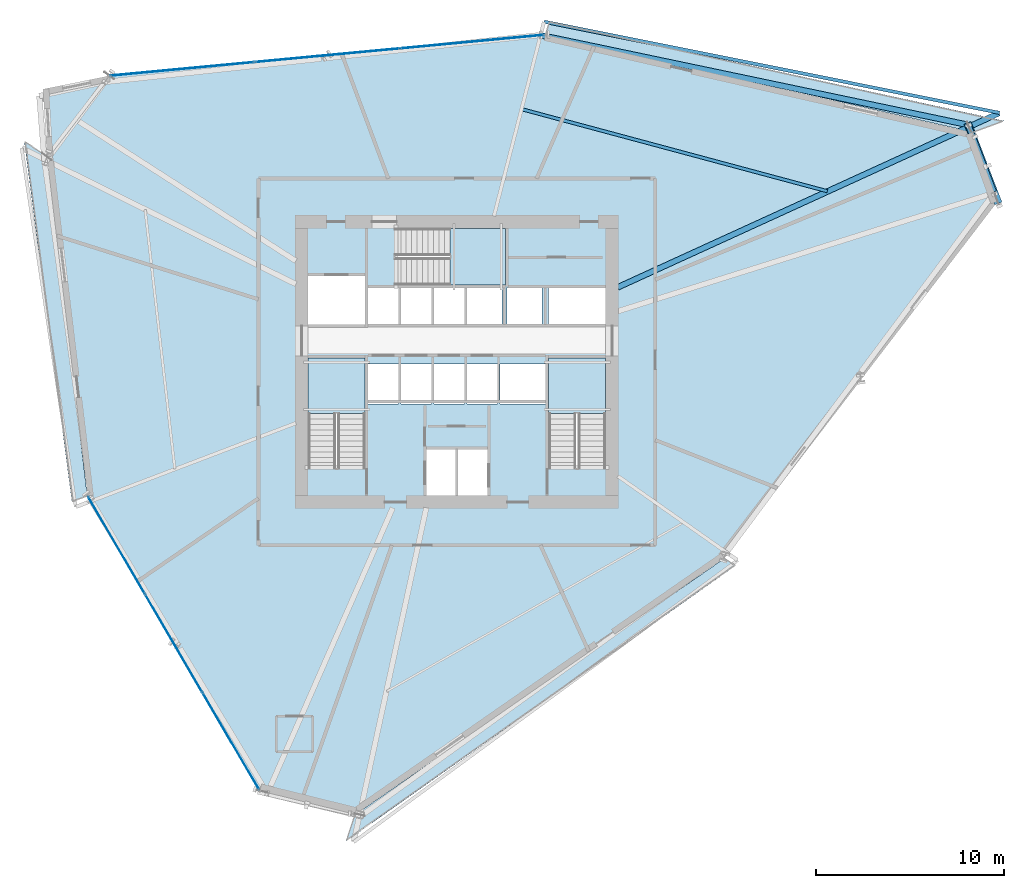
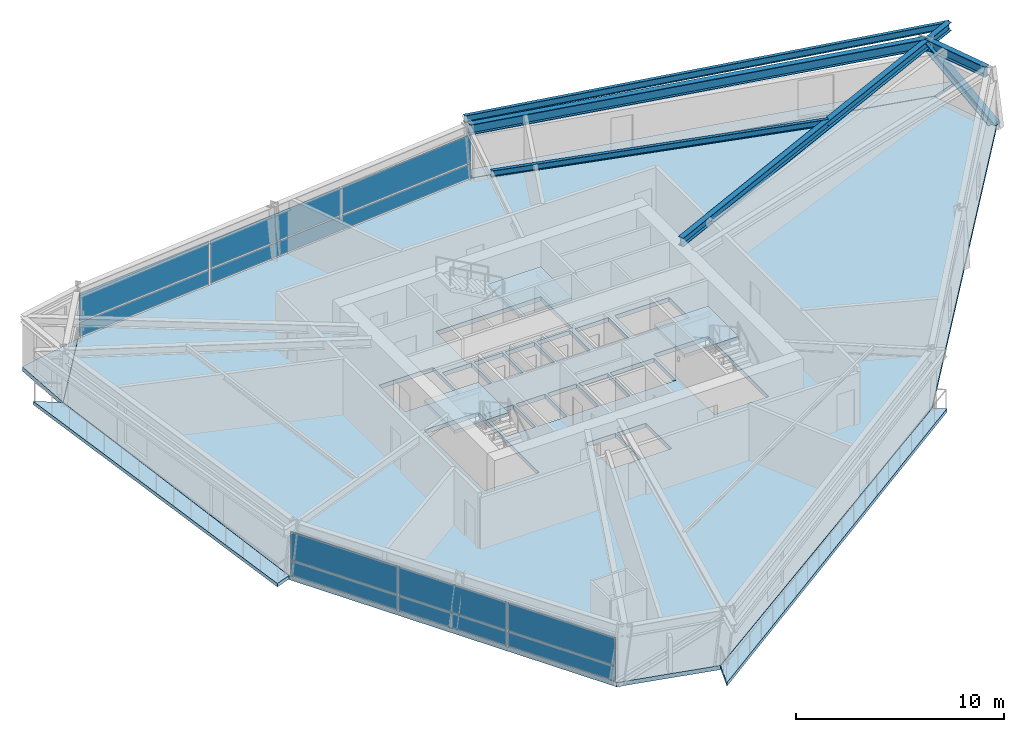
# One storey, part 8 of 17: 12 plates, 8 slabs, 5 beams, 1 member, 5 elements without a shape of their own.
"""IFC4 building model written with IfcOpenShell, lengths in metres."""

from ifc_helpers import new_model, si_unit, direction, frame, origin, origin_2d, place, context, subcontext, project, spatial, polyline, rectangle, i_section, outline, extrude, source, transform, mapped, material, layer, layer_set, material_profile, profile_set, type_object, element, aggregate, save


model = new_model("IFC4")

# Units and contexts
model_context = context("Model", 3, precision=1e-05, world=origin(), true_north=direction((0.0, 1.0)))
body_context = subcontext(model_context, "Body", "Model", "MODEL_VIEW")
ifc_project = project(units=[si_unit("LENGTHUNIT", "METRE"), si_unit("AREAUNIT", "SQUARE_METRE"), si_unit("VOLUMEUNIT", "CUBIC_METRE"), si_unit("PLANEANGLEUNIT", "RADIAN"), si_unit("MASSUNIT", "GRAM", prefix="KILO")], contexts=[model_context])

# Site, building, storey
site_placement = place(None, origin())
site = spatial("IfcSite", under=ifc_project, at=site_placement, CompositionType="ELEMENT")
building_placement = place(site_placement, origin())
building = spatial("IfcBuilding", under=site, at=building_placement, Name="Olszyna Solenne Hotel", CompositionType="ELEMENT")
storey_placement = place(building_placement, frame((0.0, 0.0, 116.35009765625)))
storey = spatial("IfcBuildingStorey", under=building, at=storey_placement, Name="L30", CompositionType="ELEMENT", Elevation=116.35009765625)

# Beams
ifc_material_1 = material(Name="Steel S355J2", Category="steel")
ifc_material_profile_1 = material_profile(ifc_material_1, i_section(OverallWidth=0.300048828125, OverallDepth=0.60009765625, WebThickness=0.015380859375, FlangeThickness=0.030029296875, at=origin_2d()), Name="HEB 600", Category="load-bearing")
ifc_profile_set_1 = profile_set([ifc_material_profile_1], Name="Steel S355J2")
beam_type_1 = type_object("IfcBeamType", Name="BM-S2", PredefinedType="BEAM", material=ifc_profile_set_1)
shared_shape_1 = source(origin(), body_context, "Body", "SweptSolid", [
    extrude(i_section(OverallWidth=0.300048828125, OverallDepth=0.60009765625, WebThickness=0.015380859375, FlangeThickness=0.030029296875, at=origin_2d()), origin(), (0.0, 0.0, 1.0), 3.745361328125),
])
beam_1_placement = place(storey_placement, frame((66.53515625, 35.6376953125, 3.0), z_axis=(-0.355919425855, 0.934516646347, 0.0), x_axis=(-0.934516646347, -0.355919425855, 0.0)))
element("IfcBeam", 1, at=beam_1_placement, inside=storey, type_object=beam_type_1, Name="Perimeter spandrel beam BM-S2 B-L30-0898", PredefinedType="BEAM", context=body_context, shape_type="MappedRepresentation", body=[
    mapped(shared_shape_1, transform((0.0, 0.0, 0.0), x_axis=(1.0, 0.0, 0.0), y_axis=(0.0, 1.0, 0.0), z_axis=(0.0, 0.0, 1.0), scale=1.0)),
])
shared_shape_2 = source(origin(), body_context, "Body", "SweptSolid", [
    extrude(i_section(OverallWidth=0.300048828125, OverallDepth=0.60009765625, WebThickness=0.015380859375, FlangeThickness=0.030029296875, at=origin_2d()), origin(), (0.0, 0.0, 1.0), 23.1396484375),
])
beam_2_placement = place(storey_placement, frame((65.1220703125, 39.206298828125, 3.0), z_axis=(-0.978690829069, 0.205339380286, 0.0), x_axis=(-0.205339380286, -0.978690829069, 0.0)))
element("IfcBeam", 2, at=beam_2_placement, inside=storey, type_object=beam_type_1, Name="Perimeter spandrel beam BM-S2 B-L30-0899", PredefinedType="BEAM", context=body_context, shape_type="MappedRepresentation", body=[
    mapped(shared_shape_2, transform((0.0, 0.0, 0.0), x_axis=(1.0, 0.0, 0.0), y_axis=(0.0, 1.0, 0.0), z_axis=(0.0, 0.0, 1.0), scale=1.0)),
])
ifc_material_profile_2 = material_profile(ifc_material_1, i_section(OverallWidth=0.300048828125, OverallDepth=0.489990234375, WebThickness=0.011962890625, FlangeThickness=0.02294921875, at=origin_2d()), Name="HEA 500", Category="load-bearing")
ifc_profile_set_2 = profile_set([ifc_material_profile_2], Name="Steel S355J2")
beam_type_2 = type_object("IfcBeamType", Name="BM-G1", PredefinedType="BEAM", material=ifc_profile_set_2)
shared_shape_3 = source(origin(), body_context, "Body", "SweptSolid", [
    extrude(i_section(OverallWidth=0.300048828125, OverallDepth=0.489990234375, WebThickness=0.011962890625, FlangeThickness=0.02294921875, at=origin_2d()), origin(), (0.0, 0.0, 1.0), 22.285888671875),
])
beam_3_placement = place(storey_placement, frame((66.823974609375, 39.827392578125, 3.054931640625), z_axis=(-0.909513291073, -0.415674840905, 0.0), x_axis=(0.415674840905, -0.909513291073, 0.0)))
element("IfcBeam", 3, at=beam_3_placement, inside=storey, type_object=beam_type_2, Name="Radial floor girder BM-G1 B-L30-0911", PredefinedType="BEAM", context=body_context, shape_type="MappedRepresentation", body=[
    mapped(shared_shape_3, transform((0.0, 0.0, 0.0), x_axis=(1.0, 0.0, 0.0), y_axis=(0.0, 1.0, 0.0), z_axis=(0.0, 0.0, 1.0), scale=1.0)),
])
ifc_material_profile_3 = material_profile(ifc_material_1, i_section(OverallWidth=0.169921875, OverallDepth=0.360107421875, WebThickness=0.008056640625, FlangeThickness=0.0126953125, at=origin_2d()), Name="IPE 360", Category="load-bearing")
ifc_profile_set_3 = profile_set([ifc_material_profile_3], Name="Steel S355J2")
beam_type_3 = type_object("IfcBeamType", Name="JS-01", PredefinedType="JOIST", material=ifc_profile_set_3)
shared_shape_4 = source(origin(), body_context, "Body", "SweptSolid", [
    extrude(i_section(OverallWidth=0.169921875, OverallDepth=0.360107421875, WebThickness=0.008056640625, FlangeThickness=0.0126953125, at=origin_2d()), origin(), (0.0, 0.0, 1.0), 16.81201171875),
])
beam_4_placement = place(storey_placement, frame((57.693359375, 35.66845703125, 3.119873046875), z_axis=(-0.965781290157, 0.259357860076, 0.0), x_axis=(-0.259357860076, -0.965781290157, 0.0)))
element("IfcBeam", 4, at=beam_4_placement, inside=storey, type_object=beam_type_3, Name="Secondary composite floor joist JS-01 B-L30-0921", PredefinedType="JOIST", context=body_context, shape_type="MappedRepresentation", body=[
    mapped(shared_shape_4, transform((0.0, 0.0, 0.0), x_axis=(1.0, 0.0, 0.0), y_axis=(0.0, 1.0, 0.0), z_axis=(0.0, 0.0, 1.0), scale=1.0)),
])
ifc_material_profile_4 = material_profile(ifc_material_1, i_section(OverallWidth=0.179931640625, OverallDepth=0.39990234375, WebThickness=0.008544921875, FlangeThickness=0.013427734375, at=origin_2d()), Name="IPE 400", Category="load-bearing")
ifc_profile_set_4 = profile_set([ifc_material_profile_4], Name="Steel S355J2")
beam_type_4 = type_object("IfcBeamType", Name="BM-F5", PredefinedType="BEAM", material=ifc_profile_set_4)
shared_shape_5 = source(origin(), body_context, "Body", "SweptSolid", [
    extrude(i_section(OverallWidth=0.179931640625, OverallDepth=0.39990234375, WebThickness=0.008544921875, FlangeThickness=0.013427734375, at=origin_2d()), origin(), (0.0, 0.0, 1.0), 24.685791015625),
])
beam_5_placement = place(storey_placement, frame((66.842041015625, 39.835693359375, 3.099853515625), z_axis=(-0.980527005182, 0.196384297001, 0.0), x_axis=(-0.196384297001, -0.980527005182, 0.0)))
element("IfcBeam", 5, at=beam_5_placement, inside=storey, type_object=beam_type_4, Name="Loggia outer edge beam BM-F5 B-L30-0924", PredefinedType="BEAM", context=body_context, shape_type="MappedRepresentation", body=[
    mapped(shared_shape_5, transform((0.0, 0.0, 0.0), x_axis=(1.0, 0.0, 0.0), y_axis=(0.0, 1.0, 0.0), z_axis=(0.0, 0.0, 1.0), scale=1.0)),
])

# Member
ifc_material_2 = material(Name="Steel S460M", Category="steel")
ifc_material_profile_5 = material_profile(ifc_material_2, i_section(OverallWidth=0.406005859375, OverallDepth=0.416015625, WebThickness=0.026611328125, FlangeThickness=0.04150390625, at=origin_2d()), Name="HD 400x382", Category="load-bearing")
ifc_profile_set_5 = profile_set([ifc_material_profile_5], Name="Steel S460M")
member_type = type_object("IfcMemberType", Name="BR-T2", PredefinedType="BRACE", material=ifc_profile_set_5)
shared_shape_6 = source(origin(), body_context, "Body", "SweptSolid", [
    extrude(i_section(OverallWidth=0.406005859375, OverallDepth=0.416015625, WebThickness=0.026611328125, FlangeThickness=0.04150390625, at=origin_2d()), origin(), (0.0, 0.0, 1.0), 5.264892578125),
])
member_placement = place(storey_placement, frame((66.7421875, 35.12939453125, 0.010009765625), z_axis=(-0.296547215583, 0.771996566852, 0.562210858753), x_axis=(-0.933497265779, -0.358584515537, 0.0)))
element("IfcMember", 6, at=member_placement, inside=storey, type_object=member_type, Name="Perimeter braced-tube diagonal BR-T2 BR-L30-1", PredefinedType="BRACE", context=body_context, shape_type="MappedRepresentation", body=[
    mapped(shared_shape_6, transform((0.0, 0.0, 0.0), x_axis=(1.0, 0.0, 0.0), y_axis=(0.0, 1.0, 0.0), z_axis=(0.0, 0.0, 1.0), scale=1.0)),
])

# Stair, slab
ifc_material_3 = material(Name="Concrete C40/50", Category="concrete")
stair_type = type_object("IfcStairType", Name="STR-C1", PredefinedType="TWO_QUARTER_WINDING_STAIR", material=ifc_material_3)
stair_1_placement = place(storey_placement, origin())
stair_1 = element("IfcStair", 7, at=stair_1_placement, inside=storey, type_object=stair_type, Name="L30 ST1", PredefinedType="TWO_QUARTER_WINDING_STAIR")
ifc_layer_1 = layer(ifc_material_3, 0.18994140625, Name="Concrete C40/50")
ifc_layer_set_1 = layer_set([ifc_layer_1], Name="Concrete C40/50")
slab_type_1 = type_object("IfcSlabType", Name="SL-LN190", PredefinedType="LANDING", material=ifc_layer_set_1)
slab_1_placement = place(storey_placement, frame((0.0, 0.0, 1.574951171875)))
slab_1 = element("IfcSlab", 8, at=slab_1_placement, type_object=slab_type_1, Name="ST1 landing 1", PredefinedType="LANDING", context=body_context, shape_type="SweptSolid", body=[
    extrude(outline(polyline([(33.1201171875, 23.85009765625), (33.1201171875, 26.800048828125), (30.10009765625, 26.800048828125), (30.10009765625, 23.85009765625), (33.1201171875, 23.85009765625)])), origin(), (0.0, 0.0, 1.0), 0.199951171875),
])
aggregate(stair_1, [slab_1])

stair_2_placement = place(storey_placement, origin())
stair_2 = element("IfcStair", 9, at=stair_2_placement, inside=storey, type_object=stair_type, Name="L30 ST2", PredefinedType="TWO_QUARTER_WINDING_STAIR")
slab_2_placement = place(storey_placement, frame((0.0, 0.0, 1.574951171875)))
slab_2 = element("IfcSlab", 10, at=slab_2_placement, type_object=slab_type_1, Name="ST2 landing 1", PredefinedType="LANDING", context=body_context, shape_type="SweptSolid", body=[
    extrude(outline(polyline([(45.89990234375, 23.85009765625), (45.89990234375, 26.800048828125), (42.8798828125, 26.800048828125), (42.8798828125, 23.85009765625), (45.89990234375, 23.85009765625)])), origin(), (0.0, 0.0, 1.0), 0.199951171875),
])
aggregate(stair_2, [slab_2])

stair_3_placement = place(storey_placement, origin())
stair_3 = element("IfcStair", 11, at=stair_3_placement, inside=storey, type_object=stair_type, Name="L30 ST3", PredefinedType="TWO_QUARTER_WINDING_STAIR")
slab_3_placement = place(storey_placement, frame((0.0, 0.0, 1.574951171875)))
slab_3 = element("IfcSlab", 12, at=slab_3_placement, type_object=slab_type_1, Name="ST3 landing 1", PredefinedType="LANDING", context=body_context, shape_type="SweptSolid", body=[
    extrude(outline(polyline([(37.6298828125, 30.679931640625), (40.580078125, 30.679931640625), (40.580078125, 33.699951171875), (37.6298828125, 33.699951171875), (37.6298828125, 30.679931640625)])), origin(), (0.0, 0.0, 1.0), 0.199951171875),
])
aggregate(stair_3, [slab_3])

# Slabs
ifc_material_4 = material(Name="Precast concrete C45/55", Category="concrete")
ifc_layer_2 = layer(ifc_material_4, 0.199951171875, Name="Precast concrete C45/55")
ifc_layer_set_2 = layer_set([ifc_layer_2], Name="Precast concrete C45/55")
slab_type_2 = type_object("IfcSlabType", Name="SL-LOG200", PredefinedType="FLOOR", material=ifc_layer_set_2)
slab_4_placement = place(storey_placement, frame((0.0, 0.0, -0.2001953125)))
element("IfcSlab", 13, at=slab_4_placement, inside=storey, type_object=slab_type_2, Name="Exterior loggia balcony slab SL-L30-LG1", PredefinedType="FLOOR", context=body_context, shape_type="SweptSolid", body=[
    extrude(outline(polyline([(42.70849609375, 43.998046875), (65.41357421875, 38.8134765625), (65.4150390625, 38.81298828125), (65.41650390625, 38.8125), (65.417724609375, 38.81201171875), (65.4189453125, 38.81103515625), (65.420166015625, 38.81005859375), (65.421142578125, 38.80908203125), (65.422119140625, 38.807861328125), (65.423095703125, 38.806640625), (65.423583984375, 38.805419921875), (65.42431640625, 38.80419921875), (67.081298828125, 39.41455078125), (42.93505859375, 44.693603515625), (42.70849609375, 43.998046875)])), origin(), (0.0, 0.0, 1.0), 0.2001953125),
])
slab_5_placement = place(storey_placement, frame((0.0, 0.0, -0.2001953125)))
element("IfcSlab", 14, at=slab_5_placement, inside=storey, type_object=slab_type_2, Name="Exterior loggia balcony slab SL-L30-LG2", PredefinedType="FLOOR", context=body_context, shape_type="SweptSolid", body=[
    extrude(outline(polyline([(18.359375, 19.47998046875), (18.359375, 19.48046875), (18.35888671875, 19.48193359375), (18.358642578125, 19.4833984375), (16.199462890625, 37.515625), (16.199462890625, 37.5166015625), (16.19873046875, 37.52783203125), (15.005615234375, 38.32177734375), (17.537841796875, 19.177490234375), (18.359375, 19.47998046875)])), origin(), (0.0, 0.0, 1.0), 0.2001953125),
])
slab_6_placement = place(storey_placement, frame((0.0, 0.0, -0.2001953125)))
element("IfcSlab", 15, at=slab_6_placement, inside=storey, type_object=slab_type_2, Name="Exterior loggia balcony slab SL-L30-LG3", PredefinedType="FLOOR", context=body_context, shape_type="SweptSolid", body=[
    extrude(outline(polyline([(52.22509765625, 16.160888671875), (52.224365234375, 16.159912109375), (52.223388671875, 16.15869140625), (52.222412109375, 16.15771484375), (52.22119140625, 16.15673828125), (32.59716796875, 2.53662109375), (32.595947265625, 2.535888671875), (32.594482421875, 2.535400390625), (32.59326171875, 2.534912109375), (32.591796875, 2.534423828125), (32.590576171875, 2.5341796875), (32.589111328125, 2.533935546875), (32.587646484375, 2.533935546875), (32.586181640625, 2.5341796875), (32.5849609375, 2.534423828125), (32.583740234375, 2.53466796875), (32.1259765625, 1.129150390625), (52.81689453125, 15.76708984375), (52.22509765625, 16.160888671875)])), origin(), (0.0, 0.0, 1.0), 0.2001953125),
])
ifc_material_5 = material(Name="Concrete C50/60", Category="concrete")
ifc_layer_3 = layer(ifc_material_5, 0.25, Name="Concrete C50/60")
ifc_layer_set_3 = layer_set([ifc_layer_3], Name="Concrete C50/60")
slab_type_3 = type_object("IfcSlabType", Name="SL-TW250", PredefinedType="FLOOR", material=ifc_layer_set_3)
slab_7_placement = place(storey_placement, frame((0.0, 0.0, -0.25)))
element("IfcSlab", 16, at=slab_7_placement, inside=storey, type_object=slab_type_3, Name="Floor slab SL-TW250 SL-L30-01", PredefinedType="FLOOR", context=body_context, shape_type="SweptSolid", body=[
    extrude(outline(polyline([(66.7421875, 35.12939453125), (65.41015625, 38.798828125), (42.703857421875, 43.98388671875), (19.515380859375, 41.80419921875), (16.21435546875, 37.517578125), (18.37353515625, 19.485107421875), (27.529541015625, 3.80078125), (32.58837890625, 2.549072265625), (52.21240234375, 16.169189453125), (66.7421875, 35.12939453125)]), holes=[polyline([(30.10009765625, 20.949951171875), (33.1201171875, 20.949951171875), (33.1201171875, 26.800048828125), (30.10009765625, 26.800048828125), (30.10009765625, 20.949951171875)]), polyline([(42.8798828125, 20.949951171875), (45.89990234375, 20.949951171875), (45.89990234375, 26.800048828125), (42.8798828125, 26.800048828125), (42.8798828125, 20.949951171875)]), polyline([(34.72998046875, 30.679931640625), (40.580078125, 30.679931640625), (40.580078125, 33.699951171875), (34.72998046875, 33.699951171875), (34.72998046875, 30.679931640625)]), polyline([(36.340087890625, 19.5), (37.9599609375, 19.5), (37.9599609375, 21.9599609375), (36.340087890625, 21.9599609375), (36.340087890625, 19.5)]), polyline([(38.0400390625, 19.5), (39.659912109375, 19.5), (39.659912109375, 21.9599609375), (38.0400390625, 21.9599609375), (38.0400390625, 19.5)]), polyline([(30.10009765625, 28.60009765625), (33.1201171875, 28.60009765625), (33.1201171875, 31.159912109375), (30.10009765625, 31.159912109375), (30.10009765625, 28.60009765625)]), polyline([(33.280029296875, 24.360107421875), (34.89990234375, 24.360107421875), (34.89990234375, 26.5), (33.280029296875, 26.5), (33.280029296875, 24.360107421875)]), polyline([(35.030029296875, 24.360107421875), (36.64990234375, 24.360107421875), (36.64990234375, 26.5), (35.030029296875, 26.5), (35.030029296875, 24.360107421875)]), polyline([(36.780029296875, 24.360107421875), (38.39990234375, 24.360107421875), (38.39990234375, 26.5), (36.780029296875, 26.5), (36.780029296875, 24.360107421875)]), polyline([(38.530029296875, 24.360107421875), (40.14990234375, 24.360107421875), (40.14990234375, 26.5), (38.530029296875, 26.5), (38.530029296875, 24.360107421875)]), polyline([(40.280029296875, 24.360107421875), (42.719970703125, 24.360107421875), (42.719970703125, 26.5), (40.280029296875, 26.5), (40.280029296875, 24.360107421875)]), polyline([(33.280029296875, 28.60009765625), (34.89990234375, 28.60009765625), (34.89990234375, 30.550048828125), (33.280029296875, 30.550048828125), (33.280029296875, 28.60009765625)]), polyline([(35.030029296875, 28.60009765625), (36.64990234375, 28.60009765625), (36.64990234375, 30.550048828125), (35.030029296875, 30.550048828125), (35.030029296875, 28.60009765625)]), polyline([(36.780029296875, 28.60009765625), (38.39990234375, 28.60009765625), (38.39990234375, 30.550048828125), (36.780029296875, 30.550048828125), (36.780029296875, 28.60009765625)]), polyline([(38.530029296875, 28.60009765625), (40.389892578125, 28.60009765625), (40.389892578125, 30.550048828125), (38.530029296875, 30.550048828125), (38.530029296875, 28.60009765625)]), polyline([(40.659912109375, 28.60009765625), (42.52001953125, 28.60009765625), (42.52001953125, 30.550048828125), (40.659912109375, 30.550048828125), (40.659912109375, 28.60009765625)]), polyline([(42.8798828125, 28.60009765625), (45.89990234375, 28.60009765625), (45.89990234375, 30.550048828125), (42.8798828125, 30.550048828125), (42.8798828125, 28.60009765625)])]), origin(), (0.0, 0.0, 1.0), 0.25),
])
slab_8_placement = place(storey_placement, frame((0.0, 0.0, -0.25)))
element("IfcSlab", 17, at=slab_8_placement, inside=storey, type_object=slab_type_3, Name="Faceted glass-prism floor slab SL-L30-PR", PredefinedType="FLOOR", context=body_context, shape_type="SweptSolid", body=[
    extrude(outline(polyline([(16.21337890625, 37.53271484375), (19.50048828125, 41.80126953125), (16.0029296875, 41.094482421875), (16.21337890625, 37.53271484375)])), origin(), (0.0, 0.0, 1.0), 0.25),
])

# Curtain wall, plates
ifc_material_6 = material(Name="Anodised bronze aluminium", Category="aluminium")
curtain_wall_type = type_object("IfcCurtainWallType", Name="CW-SYS-3", PredefinedType="NOTDEFINED", material=ifc_material_6)
curtain_wall_1_placement = place(storey_placement, origin())
curtain_wall_1 = element("IfcCurtainWall", 18, at=curtain_wall_1_placement, inside=storey, type_object=curtain_wall_type, Name="Unitised curtain wall CW-SYS-3 CW-L30-01", PredefinedType="NOTDEFINED")
ifc_material_7 = material(Name="Terracotta cladding", Category="masonry")
plate_type_1 = type_object("IfcPlateType", Name="PN-SP1", PredefinedType="CURTAIN_PANEL", material=ifc_material_7)
shared_shape_7 = source(origin(), body_context, "Body", "SweptSolid", [
    extrude(rectangle(XDim=5.941162109375, YDim=0.035888671875, at=origin_2d()), origin(), (0.0, 0.0, 1.0), 0.83740234375),
])
plate_1_placement = place(storey_placement, frame((19.908935546875, 16.85498046875, 0.074951171875), z_axis=(0.0, 0.0, 1.0), x_axis=(0.504151389299, -0.863615294369, 0.0)))
plate_1 = element("IfcPlate", 19, at=plate_1_placement, type_object=plate_type_1, Name="Curtain-wall panel PN-SP1 CP-L30-01-01", PredefinedType="CURTAIN_PANEL", context=body_context, shape_type="MappedRepresentation", body=[
    mapped(shared_shape_7, transform((0.0, 0.0, 0.0), x_axis=(1.0, 0.0, 0.0), y_axis=(0.0, 1.0, 0.0), z_axis=(0.0, 0.0, 1.0), scale=1.0)),
])
plate_2_placement = place(storey_placement, frame((25.994140625, 6.43115234375, 0.074951171875), z_axis=(0.0, 0.0, 1.0), x_axis=(0.504151389299, -0.863615294369, 0.0)))
plate_2 = element("IfcPlate", 20, at=plate_2_placement, type_object=plate_type_1, Name="Curtain-wall panel PN-SP1 CP-L30-01-05", PredefinedType="CURTAIN_PANEL", context=body_context, shape_type="MappedRepresentation", body=[
    mapped(shared_shape_7, transform((0.0, 0.0, 0.0), x_axis=(1.0, 0.0, 0.0), y_axis=(0.0, 1.0, 0.0), z_axis=(0.0, 0.0, 1.0), scale=1.0)),
])
ifc_material_8 = material(Name="Low-E triple glazing", Category="glass")
plate_type_2 = type_object("IfcPlateType", Name="PN-GL1", PredefinedType="CURTAIN_PANEL", material=ifc_material_8)
shared_shape_8 = source(origin(), body_context, "Body", "SweptSolid", [
    extrude(rectangle(XDim=5.941162109375, YDim=0.035888671875, at=origin_2d()), origin(), (0.0, 0.0, 1.0), 1.62939453125),
])
plate_3_placement = place(storey_placement, frame((19.908935546875, 16.85498046875, 0.987548828125), z_axis=(0.0, 0.0, 1.0), x_axis=(0.504151389299, -0.863615294369, 0.0)))
plate_3 = element("IfcPlate", 21, at=plate_3_placement, type_object=plate_type_2, Name="Curtain-wall panel PN-GL1 CP-L30-01-02", PredefinedType="CURTAIN_PANEL", context=body_context, shape_type="MappedRepresentation", body=[
    mapped(shared_shape_8, transform((0.0, 0.0, 0.0), x_axis=(1.0, 0.0, 0.0), y_axis=(0.0, 1.0, 0.0), z_axis=(0.0, 0.0, 1.0), scale=1.0)),
])
plate_4_placement = place(storey_placement, frame((25.994140625, 6.43115234375, 0.987548828125), z_axis=(0.0, 0.0, 1.0), x_axis=(0.504151389299, -0.863615294369, 0.0)))
plate_4 = element("IfcPlate", 22, at=plate_4_placement, type_object=plate_type_2, Name="Curtain-wall panel PN-GL1 CP-L30-01-06", PredefinedType="CURTAIN_PANEL", context=body_context, shape_type="MappedRepresentation", body=[
    mapped(shared_shape_8, transform((0.0, 0.0, 0.0), x_axis=(1.0, 0.0, 0.0), y_axis=(0.0, 1.0, 0.0), z_axis=(0.0, 0.0, 1.0), scale=1.0)),
])
shared_shape_9 = source(origin(), body_context, "Body", "SweptSolid", [
    extrude(rectangle(XDim=5.978759765625, YDim=0.035888671875, at=origin_2d()), origin(), (0.0, 0.0, 1.0), 0.83740234375),
])
plate_5_placement = place(storey_placement, frame((22.951416015625, 11.64306640625, 0.074951171875), z_axis=(0.0, 0.0, 1.0), x_axis=(0.504151389299, -0.863615294369, 0.0)))
plate_5 = element("IfcPlate", 23, at=plate_5_placement, type_object=plate_type_1, Name="Curtain-wall panel PN-SP1 CP-L30-01-03", PredefinedType="CURTAIN_PANEL", context=body_context, shape_type="MappedRepresentation", body=[
    mapped(shared_shape_9, transform((0.0, 0.0, 0.0), x_axis=(1.0, 0.0, 0.0), y_axis=(0.0, 1.0, 0.0), z_axis=(0.0, 0.0, 1.0), scale=1.0)),
])
shared_shape_10 = source(origin(), body_context, "Body", "SweptSolid", [
    extrude(rectangle(XDim=5.978759765625, YDim=0.035888671875, at=origin_2d()), origin(), (0.0, 0.0, 1.0), 1.62939453125),
])
plate_6_placement = place(storey_placement, frame((22.951416015625, 11.64306640625, 0.987548828125), z_axis=(0.0, 0.0, 1.0), x_axis=(0.504151389299, -0.863615294369, 0.0)))
plate_6 = element("IfcPlate", 24, at=plate_6_placement, type_object=plate_type_2, Name="Curtain-wall panel PN-GL1 CP-L30-01-04", PredefinedType="CURTAIN_PANEL", context=body_context, shape_type="MappedRepresentation", body=[
    mapped(shared_shape_10, transform((0.0, 0.0, 0.0), x_axis=(1.0, 0.0, 0.0), y_axis=(0.0, 1.0, 0.0), z_axis=(0.0, 0.0, 1.0), scale=1.0)),
])
aggregate(curtain_wall_1, [plate_1, plate_3, plate_5, plate_6, plate_2, plate_4])

curtain_wall_2_placement = place(storey_placement, origin())
curtain_wall_2 = element("IfcCurtainWall", 25, at=curtain_wall_2_placement, inside=storey, type_object=curtain_wall_type, Name="Unitised curtain wall CW-SYS-3 CW-L30-02", PredefinedType="NOTDEFINED")
shared_shape_11 = source(origin(), body_context, "Body", "SweptSolid", [
    extrude(rectangle(XDim=7.651123046875, YDim=0.035888671875, at=origin_2d()), origin(), (0.0, 0.0, 1.0), 0.83740234375),
])
plate_7_placement = place(storey_placement, frame((23.398681640625, 42.169189453125, 0.074951171875), z_axis=(0.0, 0.0, 1.0), x_axis=(0.995611540213, 0.093582375447, 0.0)))
plate_7 = element("IfcPlate", 26, at=plate_7_placement, type_object=plate_type_1, Name="Curtain-wall panel PN-SP1 CP-L30-02-01", PredefinedType="CURTAIN_PANEL", context=body_context, shape_type="MappedRepresentation", body=[
    mapped(shared_shape_11, transform((0.0, 0.0, 0.0), x_axis=(1.0, 0.0, 0.0), y_axis=(0.0, 1.0, 0.0), z_axis=(0.0, 0.0, 1.0), scale=1.0)),
])
plate_8_placement = place(storey_placement, frame((38.8203125, 43.618896484375, 0.074951171875), z_axis=(0.0, 0.0, 1.0), x_axis=(0.995611540213, 0.093582375447, 0.0)))
plate_8 = element("IfcPlate", 27, at=plate_8_placement, type_object=plate_type_1, Name="Curtain-wall panel PN-SP1 CP-L30-02-05", PredefinedType="CURTAIN_PANEL", context=body_context, shape_type="MappedRepresentation", body=[
    mapped(shared_shape_11, transform((0.0, 0.0, 0.0), x_axis=(1.0, 0.0, 0.0), y_axis=(0.0, 1.0, 0.0), z_axis=(0.0, 0.0, 1.0), scale=1.0)),
])
shared_shape_12 = source(origin(), body_context, "Body", "SweptSolid", [
    extrude(rectangle(XDim=7.651123046875, YDim=0.035888671875, at=origin_2d()), origin(), (0.0, 0.0, 1.0), 1.62939453125),
])
plate_9_placement = place(storey_placement, frame((23.398681640625, 42.169189453125, 0.987548828125), z_axis=(0.0, 0.0, 1.0), x_axis=(0.995611540213, 0.093582375447, 0.0)))
plate_9 = element("IfcPlate", 28, at=plate_9_placement, type_object=plate_type_2, Name="Curtain-wall panel PN-GL1 CP-L30-02-02", PredefinedType="CURTAIN_PANEL", context=body_context, shape_type="MappedRepresentation", body=[
    mapped(shared_shape_12, transform((0.0, 0.0, 0.0), x_axis=(1.0, 0.0, 0.0), y_axis=(0.0, 1.0, 0.0), z_axis=(0.0, 0.0, 1.0), scale=1.0)),
])
plate_10_placement = place(storey_placement, frame((38.8203125, 43.618896484375, 0.987548828125), z_axis=(0.0, 0.0, 1.0), x_axis=(0.995611540213, 0.093582375447, 0.0)))
plate_10 = element("IfcPlate", 29, at=plate_10_placement, type_object=plate_type_2, Name="Curtain-wall panel PN-GL1 CP-L30-02-06", PredefinedType="CURTAIN_PANEL", context=body_context, shape_type="MappedRepresentation", body=[
    mapped(shared_shape_12, transform((0.0, 0.0, 0.0), x_axis=(1.0, 0.0, 0.0), y_axis=(0.0, 1.0, 0.0), z_axis=(0.0, 0.0, 1.0), scale=1.0)),
])
shared_shape_13 = source(origin(), body_context, "Body", "SweptSolid", [
    extrude(rectangle(XDim=7.6884765625, YDim=0.035888671875, at=origin_2d()), origin(), (0.0, 0.0, 1.0), 0.83740234375),
])
plate_11_placement = place(storey_placement, frame((31.109619140625, 42.89404296875, 0.074951171875), z_axis=(0.0, 0.0, 1.0), x_axis=(0.995611540213, 0.093582375447, 0.0)))
plate_11 = element("IfcPlate", 30, at=plate_11_placement, type_object=plate_type_1, Name="Curtain-wall panel PN-SP1 CP-L30-02-03", PredefinedType="CURTAIN_PANEL", context=body_context, shape_type="MappedRepresentation", body=[
    mapped(shared_shape_13, transform((0.0, 0.0, 0.0), x_axis=(1.0, 0.0, 0.0), y_axis=(0.0, 1.0, 0.0), z_axis=(0.0, 0.0, 1.0), scale=1.0)),
])
shared_shape_14 = source(origin(), body_context, "Body", "SweptSolid", [
    extrude(rectangle(XDim=7.6884765625, YDim=0.035888671875, at=origin_2d()), origin(), (0.0, 0.0, 1.0), 1.62939453125),
])
plate_12_placement = place(storey_placement, frame((31.109619140625, 42.89404296875, 0.987548828125), z_axis=(0.0, 0.0, 1.0), x_axis=(0.995611540213, 0.093582375447, 0.0)))
plate_12 = element("IfcPlate", 31, at=plate_12_placement, type_object=plate_type_2, Name="Curtain-wall panel PN-GL1 CP-L30-02-04", PredefinedType="CURTAIN_PANEL", context=body_context, shape_type="MappedRepresentation", body=[
    mapped(shared_shape_14, transform((0.0, 0.0, 0.0), x_axis=(1.0, 0.0, 0.0), y_axis=(0.0, 1.0, 0.0), z_axis=(0.0, 0.0, 1.0), scale=1.0)),
])
aggregate(curtain_wall_2, [plate_7, plate_9, plate_11, plate_12, plate_8, plate_10])

save(model, "model.ifc")
